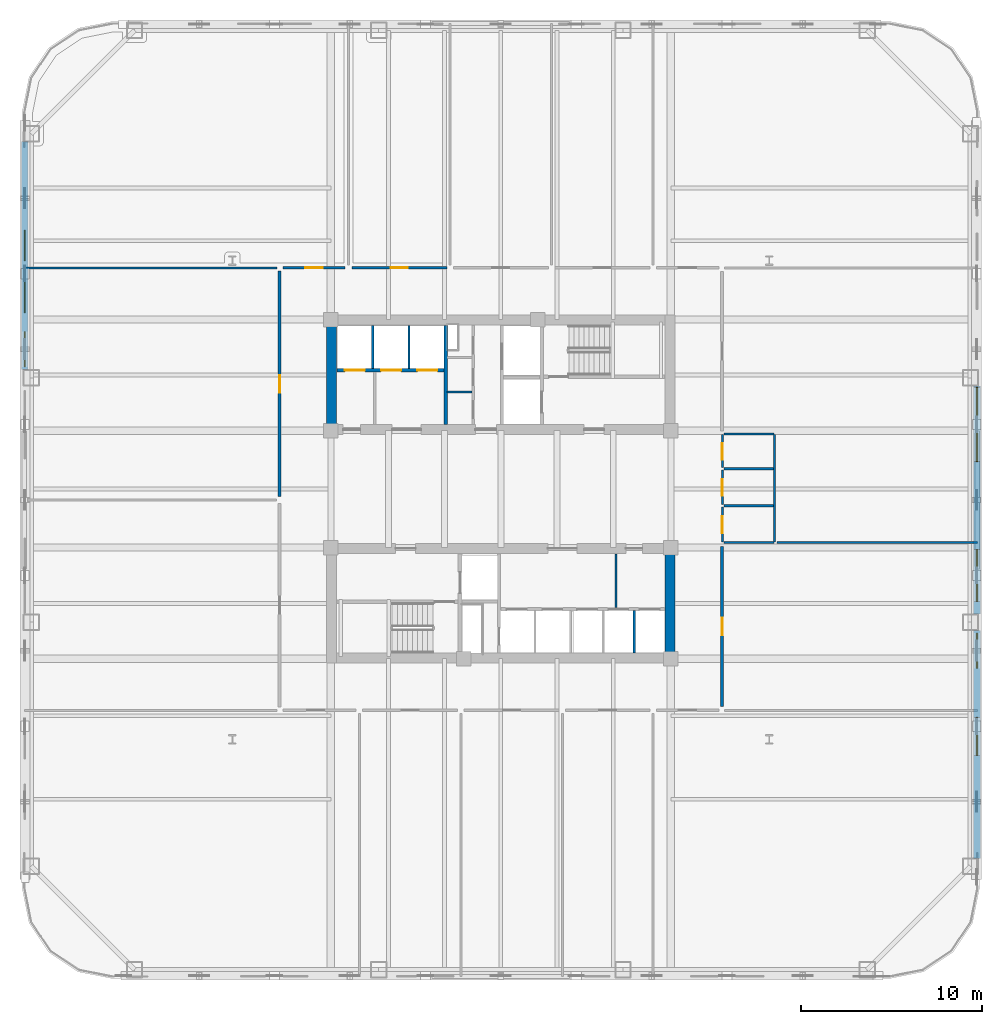
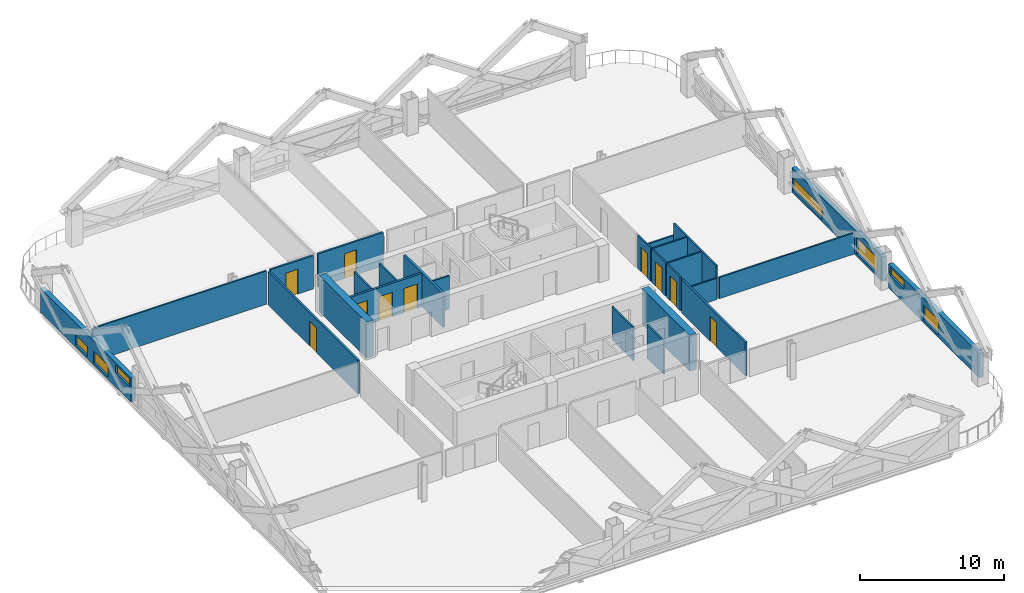
# One storey, part 6 of 14: 26 walls, 10 doors, 7 windows, 17 openings.
"""IFC4 building model written with IfcOpenShell, lengths in metres."""

from ifc_helpers import new_model, si_unit, direction, frame, frame_2d, origin, place, context, subcontext, project, spatial, rectangle, extrude, material, layer, layer_set, type_object, element, fill, save


model = new_model("IFC4")

# Units and contexts
model_context = context("Model", 3, precision=1e-05, world=origin(), true_north=direction((0.0, 1.0)))
body_context = subcontext(model_context, "Body", "Model", "MODEL_VIEW")
ifc_project = project(units=[si_unit("LENGTHUNIT", "METRE"), si_unit("AREAUNIT", "SQUARE_METRE"), si_unit("VOLUMEUNIT", "CUBIC_METRE"), si_unit("PLANEANGLEUNIT", "RADIAN"), si_unit("MASSUNIT", "GRAM", prefix="KILO")], contexts=[model_context])

# Site, building, storey
site_placement = place(None, origin())
site = spatial("IfcSite", under=ifc_project, at=site_placement, CompositionType="ELEMENT")
building_placement = place(site_placement, origin())
building = spatial("IfcBuilding", under=site, at=building_placement, Name="Qhalaya Broadcast Tower", CompositionType="ELEMENT")
storey_placement = place(building_placement, frame((0.0, 0.0, 38.300048828125)))
storey = spatial("IfcBuildingStorey", under=building, at=storey_placement, Name="L10", CompositionType="ELEMENT", Elevation=38.300048828125)

# Wall, opening, door
ifc_material_1 = material(Name="Gypsum Acoustic Partition")
ifc_layer_1 = layer(ifc_material_1, 0.14990234375, Name="Gypsum Acoustic Partition")
ifc_layer_set_1 = layer_set([ifc_layer_1], Name="Gypsum Acoustic Partition")
wall_type_1 = type_object("IfcWallType", Name="Corridor & Tenancy Acoustic Partition 150", PredefinedType="PARTITIONING", material=ifc_layer_set_1)
wall_1_placement = place(storey_placement, frame((-12.02001953125, 12.800048828125, 0.0), z_axis=(0.0, 0.0, 1.0), x_axis=(1.0, 0.0, 0.0)))
wall_1 = element("IfcWall", 1, at=wall_1_placement, inside=storey, type_object=wall_type_1, Name="L10 Partition Wall W-COR-01", PredefinedType="PARTITIONING", context=body_context, shape_type="SweptSolid", body=[
    extrude(rectangle(XDim=3.43994140625, YDim=0.14990234375, at=frame_2d((1.719970703125, 0.0))), origin(), (0.0, 0.0, 1.0), 2.829833984375),
])
opening_1_placement = place(wall_1_placement, frame((1.2451171875, 0.0, 0.0)))
opening_1 = element("IfcOpeningElement", 2, at=opening_1_placement, cuts=wall_1, Name="Opening D10", PredefinedType="OPENING", context=body_context, shape_type="SweptSolid", body=[
    extrude(rectangle(XDim=0.949951171875, YDim=2.10009765625, at=frame_2d((0.47509765625, 1.050048828125))), frame((0.0, 0.0869140625, 0.0), z_axis=(0.0, -1.0, 0.0), x_axis=(1.0, 0.0, 0.0)), (0.0, 0.0, 1.0), 0.173828125),
])
ifc_material_2 = material(Name="Timber Veneer Acoustic Door", Category="wood")
door_type_1 = type_object("IfcDoorType", Name="Cellular Office & Edit Booth Door D10", OperationType="NOTDEFINED", PredefinedType="DOOR", material=ifc_material_2)
door_1_placement = place(opening_1_placement, origin())
door_1 = element("IfcDoor", 3, at=door_1_placement, inside=storey, type_object=door_type_1, Name="L10 Door D-RM01", OperationType="SINGLE_SWING_RIGHT", OverallHeight=2.10009765625, OverallWidth=0.949951171875, PredefinedType="DOOR", context=body_context, shape_type="SweptSolid", body=[
    extrude(rectangle(XDim=0.949951171875, YDim=2.10009765625, at=frame_2d((0.47509765625, 1.050048828125))), frame((0.0, 0.02490234375, 0.0), z_axis=(0.0, -1.0, 0.0), x_axis=(1.0, 0.0, 0.0)), (0.0, 0.0, 1.0), 0.050048828125),
])
fill(opening_1, door_1)

wall_2_placement = place(storey_placement, frame((-8.219970703125, 12.800048828125, 0.0), z_axis=(0.0, 0.0, 1.0), x_axis=(1.0, 0.0, 0.0)))
wall_2 = element("IfcWall", 4, at=wall_2_placement, inside=storey, type_object=wall_type_1, Name="L10 Partition Wall W-COR-02", PredefinedType="PARTITIONING", context=body_context, shape_type="SweptSolid", body=[
    extrude(rectangle(XDim=5.239990234375, YDim=0.14990234375, at=frame_2d((2.6201171875, 0.0))), origin(), (0.0, 0.0, 1.0), 2.829833984375),
])
opening_2_placement = place(wall_2_placement, frame((2.14501953125, 0.0, 0.0)))
opening_2 = element("IfcOpeningElement", 5, at=opening_2_placement, cuts=wall_2, Name="Opening D10", PredefinedType="OPENING", context=body_context, shape_type="SweptSolid", body=[
    extrude(rectangle(XDim=0.949951171875, YDim=2.10009765625, at=frame_2d((0.47509765625, 1.050048828125))), frame((0.0, 0.0869140625, 0.0), z_axis=(0.0, -1.0, 0.0), x_axis=(1.0, 0.0, 0.0)), (0.0, 0.0, 1.0), 0.173828125),
])
door_2_placement = place(opening_2_placement, origin())
door_2 = element("IfcDoor", 6, at=door_2_placement, inside=storey, type_object=door_type_1, Name="L10 Door D-RM02", OperationType="SINGLE_SWING_LEFT", OverallHeight=2.10009765625, OverallWidth=0.949951171875, PredefinedType="DOOR", context=body_context, shape_type="SweptSolid", body=[
    extrude(rectangle(XDim=0.949951171875, YDim=2.10009765625, at=frame_2d((0.47509765625, 1.050048828125))), frame((0.0, 0.02490234375, 0.0), z_axis=(0.0, -1.0, 0.0), x_axis=(1.0, 0.0, 0.0)), (0.0, 0.0, 1.0), 0.050048828125),
])
fill(opening_2, door_2)

wall_3_placement = place(storey_placement, frame((-12.199951171875, 0.179931640625, 0.0), z_axis=(0.0, 0.0, 1.0), x_axis=(0.0, 1.0, 0.0)))
wall_3 = element("IfcWall", 7, at=wall_3_placement, inside=storey, type_object=wall_type_1, Name="L10 Partition Wall W-COR-12", PredefinedType="PARTITIONING", context=body_context, shape_type="SweptSolid", body=[
    extrude(rectangle(XDim=12.440185546875, YDim=0.14990234375, at=frame_2d((6.22021484375, 0.0))), origin(), (0.0, 0.0, 1.0), 2.829833984375),
])
opening_3_placement = place(wall_3_placement, frame((5.7451171875, 0.0, 0.0)))
opening_3 = element("IfcOpeningElement", 8, at=opening_3_placement, cuts=wall_3, Name="Opening D10", PredefinedType="OPENING", context=body_context, shape_type="SweptSolid", body=[
    extrude(rectangle(XDim=0.949951171875, YDim=2.10009765625, at=frame_2d((0.47509765625, 1.050048828125))), frame((0.0, 0.0869140625, 0.0), z_axis=(0.0, -1.0, 0.0), x_axis=(1.0, 0.0, 0.0)), (0.0, 0.0, 1.0), 0.173828125),
])
door_3_placement = place(opening_3_placement, origin())
door_3 = element("IfcDoor", 9, at=door_3_placement, inside=storey, type_object=door_type_1, Name="L10 Door D-RM12", OperationType="SINGLE_SWING_LEFT", OverallHeight=2.10009765625, OverallWidth=0.949951171875, PredefinedType="DOOR", context=body_context, shape_type="SweptSolid", body=[
    extrude(rectangle(XDim=0.949951171875, YDim=2.10009765625, at=frame_2d((0.47509765625, 1.050048828125))), frame((0.0, 0.02490234375, 0.0), z_axis=(0.0, -1.0, 0.0), x_axis=(1.0, 0.0, 0.0)), (0.0, 0.0, 1.0), 0.050048828125),
])
fill(opening_3, door_3)

wall_4_placement = place(storey_placement, frame((12.199951171875, -11.39990234375, 0.0), z_axis=(0.0, 0.0, 1.0), x_axis=(0.0, 1.0, 0.0)))
wall_4 = element("IfcWall", 10, at=wall_4_placement, inside=storey, type_object=wall_type_1, Name="L10 Partition Wall W-COR-13", PredefinedType="PARTITIONING", context=body_context, shape_type="SweptSolid", body=[
    extrude(rectangle(XDim=8.83984375, YDim=0.14990234375, at=frame_2d((4.419921875, 0.0))), origin(), (0.0, 0.0, 1.0), 2.829833984375),
])
opening_4_placement = place(wall_4_placement, frame((3.945068359375, 0.0, 0.0)))
opening_4 = element("IfcOpeningElement", 11, at=opening_4_placement, cuts=wall_4, Name="Opening D10", PredefinedType="OPENING", context=body_context, shape_type="SweptSolid", body=[
    extrude(rectangle(XDim=0.949951171875, YDim=2.10009765625, at=frame_2d((0.47509765625, 1.050048828125))), frame((0.0, 0.0869140625, 0.0), z_axis=(0.0, -1.0, 0.0), x_axis=(1.0, 0.0, 0.0)), (0.0, 0.0, 1.0), 0.173828125),
])
door_4_placement = place(opening_4_placement, origin())
door_4 = element("IfcDoor", 12, at=door_4_placement, inside=storey, type_object=door_type_1, Name="L10 Door D-RM13", OperationType="SINGLE_SWING_RIGHT", OverallHeight=2.10009765625, OverallWidth=0.949951171875, PredefinedType="DOOR", context=body_context, shape_type="SweptSolid", body=[
    extrude(rectangle(XDim=0.949951171875, YDim=2.10009765625, at=frame_2d((0.47509765625, 1.050048828125))), frame((0.0, 0.02490234375, 0.0), z_axis=(0.0, -1.0, 0.0), x_axis=(1.0, 0.0, 0.0)), (0.0, 0.0, 1.0), 0.050048828125),
])
fill(opening_4, door_4)

# Wall, openings, windows
ifc_material_3 = material(Name="Precast Concrete C40/50", Category="concrete")
ifc_layer_2 = layer(ifc_material_3, 0.360107421875, Name="Precast Concrete C40/50")
ifc_layer_set_2 = layer_set([ifc_layer_2], Name="Precast Concrete C40/50")
wall_type_2 = type_object("IfcWallType", Name="Insulated Precast Terracotta Exterior Wall 360", PredefinedType="SOLIDWALL", material=ifc_layer_set_2)
wall_5_placement = place(storey_placement, frame((26.260009765625, 6.283203125, 0.0), z_axis=(0.0, 0.0, 1.0), x_axis=(0.0, -1.0, 0.0)))
wall_5 = element("IfcWall", 13, at=wall_5_placement, inside=storey, type_object=wall_type_2, Name="L10 Exoskeleton Diagrid Infill Wall E2", PredefinedType="SOLIDWALL", context=body_context, shape_type="SweptSolid", body=[
    extrude(rectangle(XDim=12.56640625, YDim=0.360107421875, at=frame_2d((6.283203125, 0.0))), origin(), (0.0, 0.0, 1.0), 2.06689453125),
])
opening_5_placement = place(wall_5_placement, frame((0.071044921875, 0.0, 0.199951171875)))
opening_5 = element("IfcOpeningElement", 14, at=opening_5_placement, cuts=wall_5, Name="Opening W11", PredefinedType="OPENING", context=body_context, shape_type="SweptSolid", body=[
    extrude(rectangle(XDim=4.10009765625, YDim=1.050048828125, at=frame_2d((2.050048828125, 0.52490234375))), frame((0.0, 0.192138671875, 0.0), z_axis=(0.0, -1.0, 0.0), x_axis=(1.0, 0.0, 0.0)), (0.0, 0.0, 1.0), 0.384033203125),
])
opening_6_placement = place(wall_5_placement, frame((9.02099609375, 0.0, 0.199951171875)))
opening_6 = element("IfcOpeningElement", 15, at=opening_6_placement, cuts=wall_5, Name="Opening W11", PredefinedType="OPENING", context=body_context, shape_type="SweptSolid", body=[
    extrude(rectangle(XDim=2.85009765625, YDim=1.39990234375, at=frame_2d((1.425048828125, 0.699951171875))), frame((0.0, 0.192138671875, 0.0), z_axis=(0.0, -1.0, 0.0), x_axis=(1.0, 0.0, 0.0)), (0.0, 0.0, 1.0), 0.384033203125),
])
ifc_material_4 = material(Name="Solar-Control Low-E Triple Glazing", Category="glass")
window_type = type_object("IfcWindowType", Name="Odd-Block Diagrid Infill Window W11", PartitioningType="SINGLE_PANEL", PredefinedType="WINDOW", material=ifc_material_4)
window_1_placement = place(opening_5_placement, origin())
window_1 = element("IfcWindow", 16, at=window_1_placement, inside=storey, type_object=window_type, Name="L10 Diagrid Infill Window W11-E4", OverallHeight=1.050048828125, OverallWidth=4.10009765625, PartitioningType="SINGLE_PANEL", PredefinedType="WINDOW", context=body_context, shape_type="SweptSolid", body=[
    extrude(rectangle(XDim=4.10009765625, YDim=1.050048828125, at=frame_2d((2.050048828125, 0.52490234375))), frame((0.0, 0.030029296875, 0.0), z_axis=(0.0, -1.0, 0.0), x_axis=(1.0, 0.0, 0.0)), (0.0, 0.0, 1.0), 0.06005859375),
])
fill(opening_5, window_1)
window_2_placement = place(opening_6_placement, origin())
window_2 = element("IfcWindow", 17, at=window_2_placement, inside=storey, type_object=window_type, Name="L10 Diagrid Infill Window W11-E5", OverallHeight=1.39990234375, OverallWidth=2.85009765625, PartitioningType="SINGLE_PANEL", PredefinedType="WINDOW", context=body_context, shape_type="SweptSolid", body=[
    extrude(rectangle(XDim=2.85009765625, YDim=1.39990234375, at=frame_2d((1.425048828125, 0.699951171875))), frame((0.0, 0.030029296875, 0.0), z_axis=(0.0, -1.0, 0.0), x_axis=(1.0, 0.0, 0.0)), (0.0, 0.0, 1.0), 0.06005859375),
])
fill(opening_6, window_2)

wall_6_placement = place(storey_placement, frame((26.260009765625, -7.183349609375, 0.0), z_axis=(0.0, 0.0, 1.0), x_axis=(0.0, -1.0, 0.0)))
wall_6 = element("IfcWall", 18, at=wall_6_placement, inside=storey, type_object=wall_type_2, Name="L10 Exoskeleton Diagrid Infill Wall E3", PredefinedType="SOLIDWALL", context=body_context, shape_type="SweptSolid", body=[
    extrude(rectangle(XDim=12.57861328125, YDim=0.360107421875, at=frame_2d((6.289306640625, 0.0))), origin(), (0.0, 0.0, 1.0), 2.06689453125),
])
opening_7_placement = place(wall_6_placement, frame((0.155029296875, 0.0, 1.199951171875)))
opening_7 = element("IfcOpeningElement", 19, at=opening_7_placement, cuts=wall_6, Name="Opening W11", PredefinedType="OPENING", context=body_context, shape_type="SweptSolid", body=[
    extrude(rectangle(XDim=1.949951171875, YDim=0.699951171875, at=frame_2d((0.97509765625, 0.35009765625))), frame((0.0, 0.192138671875, 0.0), z_axis=(0.0, -1.0, 0.0), x_axis=(1.0, 0.0, 0.0)), (0.0, 0.0, 1.0), 0.384033203125),
])
opening_8_placement = place(wall_6_placement, frame((4.804931640625, 0.0, 0.199951171875)))
opening_8 = element("IfcOpeningElement", 20, at=opening_8_placement, cuts=wall_6, Name="Opening W11", PredefinedType="OPENING", context=body_context, shape_type="SweptSolid", body=[
    extrude(rectangle(XDim=2.10009765625, YDim=1.300048828125, at=frame_2d((1.050048828125, 0.64990234375))), frame((0.0, 0.192138671875, 0.0), z_axis=(0.0, -1.0, 0.0), x_axis=(1.0, 0.0, 0.0)), (0.0, 0.0, 1.0), 0.384033203125),
])
window_3_placement = place(opening_7_placement, origin())
window_3 = element("IfcWindow", 21, at=window_3_placement, inside=storey, type_object=window_type, Name="L10 Diagrid Infill Window W11-E6", OverallHeight=0.699951171875, OverallWidth=1.949951171875, PartitioningType="SINGLE_PANEL", PredefinedType="WINDOW", context=body_context, shape_type="SweptSolid", body=[
    extrude(rectangle(XDim=1.949951171875, YDim=0.699951171875, at=frame_2d((0.97509765625, 0.35009765625))), frame((0.0, 0.030029296875, 0.0), z_axis=(0.0, -1.0, 0.0), x_axis=(1.0, 0.0, 0.0)), (0.0, 0.0, 1.0), 0.06005859375),
])
fill(opening_7, window_3)
window_4_placement = place(opening_8_placement, origin())
window_4 = element("IfcWindow", 22, at=window_4_placement, inside=storey, type_object=window_type, Name="L10 Diagrid Infill Window W11-E7", OverallHeight=1.300048828125, OverallWidth=2.10009765625, PartitioningType="SINGLE_PANEL", PredefinedType="WINDOW", context=body_context, shape_type="SweptSolid", body=[
    extrude(rectangle(XDim=2.10009765625, YDim=1.300048828125, at=frame_2d((1.050048828125, 0.64990234375))), frame((0.0, 0.030029296875, 0.0), z_axis=(0.0, -1.0, 0.0), x_axis=(1.0, 0.0, 0.0)), (0.0, 0.0, 1.0), 0.06005859375),
])
fill(opening_8, window_4)

wall_7_placement = place(storey_placement, frame((-26.260009765625, 7.183349609375, 0.0), z_axis=(0.0, 0.0, 1.0), x_axis=(0.0, 1.0, 0.0)))
wall_7 = element("IfcWall", 23, at=wall_7_placement, inside=storey, type_object=wall_type_2, Name="L10 Exoskeleton Diagrid Infill Wall W3", PredefinedType="SOLIDWALL", context=body_context, shape_type="SweptSolid", body=[
    extrude(rectangle(XDim=12.57861328125, YDim=0.360107421875, at=frame_2d((6.289306640625, 0.0))), origin(), (0.0, 0.0, 1.0), 2.06689453125),
])
opening_9_placement = place(wall_7_placement, frame((0.155029296875, 0.0, 1.199951171875)))
opening_9 = element("IfcOpeningElement", 24, at=opening_9_placement, cuts=wall_7, Name="Opening W11", PredefinedType="OPENING", context=body_context, shape_type="SweptSolid", body=[
    extrude(rectangle(XDim=1.949951171875, YDim=0.699951171875, at=frame_2d((0.97509765625, 0.35009765625))), frame((0.0, 0.192138671875, 0.0), z_axis=(0.0, -1.0, 0.0), x_axis=(1.0, 0.0, 0.0)), (0.0, 0.0, 1.0), 0.384033203125),
])
opening_10_placement = place(wall_7_placement, frame((3.155029296875, 0.0, 0.199951171875)))
opening_10 = element("IfcOpeningElement", 25, at=opening_10_placement, cuts=wall_7, Name="Opening W11", PredefinedType="OPENING", context=body_context, shape_type="SweptSolid", body=[
    extrude(rectangle(XDim=2.050048828125, YDim=1.0, at=frame_2d((1.02490234375, 0.5))), frame((0.0, 0.192138671875, 0.0), z_axis=(0.0, -1.0, 0.0), x_axis=(1.0, 0.0, 0.0)), (0.0, 0.0, 1.0), 0.384033203125),
])
opening_11_placement = place(wall_7_placement, frame((6.0048828125, 0.0, 0.199951171875)))
opening_11 = element("IfcOpeningElement", 26, at=opening_11_placement, cuts=wall_7, Name="Opening W11", PredefinedType="OPENING", context=body_context, shape_type="SweptSolid", body=[
    extrude(rectangle(XDim=1.699951171875, YDim=0.85009765625, at=frame_2d((0.85009765625, 0.425048828125))), frame((0.0, 0.192138671875, 0.0), z_axis=(0.0, -1.0, 0.0), x_axis=(1.0, 0.0, 0.0)), (0.0, 0.0, 1.0), 0.384033203125),
])
window_5_placement = place(opening_9_placement, origin())
window_5 = element("IfcWindow", 27, at=window_5_placement, inside=storey, type_object=window_type, Name="L10 Diagrid Infill Window W11-W5", OverallHeight=0.699951171875, OverallWidth=1.949951171875, PartitioningType="SINGLE_PANEL", PredefinedType="WINDOW", context=body_context, shape_type="SweptSolid", body=[
    extrude(rectangle(XDim=1.949951171875, YDim=0.699951171875, at=frame_2d((0.97509765625, 0.35009765625))), frame((0.0, 0.030029296875, 0.0), z_axis=(0.0, -1.0, 0.0), x_axis=(1.0, 0.0, 0.0)), (0.0, 0.0, 1.0), 0.06005859375),
])
fill(opening_9, window_5)
window_6_placement = place(opening_10_placement, origin())
window_6 = element("IfcWindow", 28, at=window_6_placement, inside=storey, type_object=window_type, Name="L10 Diagrid Infill Window W11-W6", OverallHeight=1.0, OverallWidth=2.050048828125, PartitioningType="SINGLE_PANEL", PredefinedType="WINDOW", context=body_context, shape_type="SweptSolid", body=[
    extrude(rectangle(XDim=2.050048828125, YDim=1.0, at=frame_2d((1.02490234375, 0.5))), frame((0.0, 0.030029296875, 0.0), z_axis=(0.0, -1.0, 0.0), x_axis=(1.0, 0.0, 0.0)), (0.0, 0.0, 1.0), 0.06005859375),
])
fill(opening_10, window_6)
window_7_placement = place(opening_11_placement, origin())
window_7 = element("IfcWindow", 29, at=window_7_placement, inside=storey, type_object=window_type, Name="L10 Diagrid Infill Window W11-W7", OverallHeight=0.85009765625, OverallWidth=1.699951171875, PartitioningType="SINGLE_PANEL", PredefinedType="WINDOW", context=body_context, shape_type="SweptSolid", body=[
    extrude(rectangle(XDim=1.699951171875, YDim=0.85009765625, at=frame_2d((0.85009765625, 0.425048828125))), frame((0.0, 0.030029296875, 0.0), z_axis=(0.0, -1.0, 0.0), x_axis=(1.0, 0.0, 0.0)), (0.0, 0.0, 1.0), 0.06005859375),
])
fill(opening_11, window_7)

# Walls
ifc_material_5 = material(Name="Concrete C60/75", Category="concrete")
ifc_layer_3 = layer(ifc_material_5, 0.550048828125, Name="Concrete C60/75")
ifc_layer_set_3 = layer_set([ifc_layer_3], Name="Concrete C60/75")
wall_type_3 = type_object("IfcWallType", Name="Lower Split-Core Shear Wall 550", PredefinedType="SHEAR", material=ifc_layer_set_3)
wall_8_placement = place(storey_placement, frame((-9.324951171875, 3.60009765625, 0.0), z_axis=(0.0, 0.0, 1.0), x_axis=(0.0, 1.0, 0.0)))
element("IfcWall", 30, at=wall_8_placement, inside=storey, type_object=wall_type_3, Name="L10 Split-Core Shear Wall CW-NW", PredefinedType="SHEAR", context=body_context, shape_type="SweptSolid", body=[
    extrude(rectangle(XDim=6.599853515625, YDim=0.550048828125, at=frame_2d((3.2998046875, 0.0))), origin(), (0.0, 0.0, 1.0), 3.050048828125),
])
wall_9_placement = place(storey_placement, frame((9.324951171875, -9.0, 0.0), z_axis=(0.0, 0.0, 1.0), x_axis=(0.0, 1.0, 0.0)))
element("IfcWall", 31, at=wall_9_placement, inside=storey, type_object=wall_type_3, Name="L10 Split-Core Shear Wall CW-SE", PredefinedType="SHEAR", context=body_context, shape_type="SweptSolid", body=[
    extrude(rectangle(XDim=6.60009765625, YDim=0.550048828125, at=frame_2d((3.300048828125, 0.0))), origin(), (0.0, 0.0, 1.0), 3.050048828125),
])
ifc_layer_4 = layer(ifc_material_1, 0.1201171875, Name="Gypsum Acoustic Partition")
ifc_layer_set_4 = layer_set([ifc_layer_4], Name="Gypsum Acoustic Partition")
wall_type_4 = type_object("IfcWallType", Name="Office, Booth & Sanitary Partition 120", PredefinedType="PARTITIONING", material=ifc_layer_set_4)
wall_10_placement = place(storey_placement, frame((-2.9599609375, 5.949951171875, 0.0), z_axis=(0.0, 0.0, 1.0), x_axis=(1.0, 0.0, 0.0)))
element("IfcWall", 32, at=wall_10_placement, inside=storey, type_object=wall_type_4, Name="L10 Partition Wall NCW-VB1", PredefinedType="PARTITIONING", context=body_context, shape_type="SweptSolid", body=[
    extrude(rectangle(XDim=1.35986328125, YDim=0.1201171875, at=frame_2d((0.679931640625, 0.0))), origin(), (0.0, 0.0, 1.0), 2.829833984375),
])
for number, where, z_axis, x_axis, name in (
    (33, (-7.06005859375, 7.25, 0.0), (0.0, 0.0, 1.0), (0.0, 1.0, 0.0), "L10 Partition Wall NCW-PD1"),
    (34, (-5.06005859375, 7.25, 0.0), (0.0, 0.0, 1.0), (0.0, 1.0, 0.0), "L10 Partition Wall NCW-PD2"),
):
    element("IfcWall", number, at=place(storey_placement, frame(where, z_axis=z_axis, x_axis=x_axis)), inside=storey, type_object=wall_type_4, Name=name, PredefinedType="PARTITIONING", context=body_context, shape_type="SweptSolid", body=[
        extrude(rectangle(XDim=2.3798828125, YDim=0.1201171875, at=frame_2d((1.18994140625, 0.0))), origin(), (0.0, 0.0, 1.0), 2.829833984375),
    ])
wall_11_placement = place(storey_placement, frame((7.360107421875, -8.429931640625, 0.0), z_axis=(0.0, 0.0, 1.0), x_axis=(0.0, 1.0, 0.0)))
element("IfcWall", 35, at=wall_11_placement, inside=storey, type_object=wall_type_4, Name="L10 Partition Wall SCW-HD7", PredefinedType="PARTITIONING", context=body_context, shape_type="SweptSolid", body=[
    extrude(rectangle(XDim=2.329833984375, YDim=0.1201171875, at=frame_2d((1.1650390625, 0.0))), origin(), (0.0, 0.0, 1.0), 2.829833984375),
])
wall_12_placement = place(storey_placement, frame((6.35009765625, -5.93994140625, 0.0), z_axis=(0.0, 0.0, 1.0), x_axis=(0.0, 1.0, 0.0)))
element("IfcWall", 36, at=wall_12_placement, inside=storey, type_object=wall_type_4, Name="L10 Partition Wall SCW-LKB", PredefinedType="PARTITIONING", context=body_context, shape_type="SweptSolid", body=[
    extrude(rectangle(XDim=2.969970703125, YDim=0.1201171875, at=frame_2d((1.48486328125, 0.0))), origin(), (0.0, 0.0, 1.0), 2.829833984375),
])

# Wall, opening, door
wall_13_placement = place(storey_placement, frame((12.219970703125, -2.320068359375, 0.0), z_axis=(0.0, 0.0, 1.0), x_axis=(0.0, 1.0, 0.0)))
wall_13 = element("IfcWall", 37, at=wall_13_placement, inside=storey, type_object=wall_type_4, Name="L10 Partition Wall W-WCWA", PredefinedType="PARTITIONING", context=body_context, shape_type="SweptSolid", body=[
    extrude(rectangle(XDim=1.940185546875, YDim=0.1201171875, at=frame_2d((0.97021484375, 0.0))), origin(), (0.0, 0.0, 1.0), 2.829833984375),
])
opening_12_placement = place(wall_13_placement, frame((0.4951171875, 0.0, 0.0)))
opening_12 = element("IfcOpeningElement", 38, at=opening_12_placement, cuts=wall_13, Name="Opening D12", PredefinedType="OPENING", context=body_context, shape_type="SweptSolid", body=[
    extrude(rectangle(XDim=0.919921875, YDim=2.10009765625, at=frame_2d((0.4599609375, 1.050048828125))), frame((0.0, 0.072021484375, 0.0), z_axis=(0.0, -1.0, 0.0), x_axis=(1.0, 0.0, 0.0)), (0.0, 0.0, 1.0), 0.14404296875),
])
door_type_2 = type_object("IfcDoorType", Name="Accessible WC & Restroom Door D12", OperationType="NOTDEFINED", PredefinedType="DOOR", material=ifc_material_2)
door_5_placement = place(opening_12_placement, origin())
door_5 = element("IfcDoor", 39, at=door_5_placement, inside=storey, type_object=door_type_2, Name="L10 Door D-WCA", OperationType="SINGLE_SWING_LEFT", OverallHeight=2.10009765625, OverallWidth=0.919921875, PredefinedType="DOOR", context=body_context, shape_type="SweptSolid", body=[
    extrude(rectangle(XDim=0.919921875, YDim=2.10009765625, at=frame_2d((0.4599609375, 1.050048828125))), frame((0.0, 0.02490234375, 0.0), z_axis=(0.0, -1.0, 0.0), x_axis=(1.0, 0.0, 0.0)), (0.0, 0.0, 1.0), 0.050048828125),
])
fill(opening_12, door_5)

wall_14_placement = place(storey_placement, frame((12.219970703125, -0.25, 0.0), z_axis=(0.0, 0.0, 1.0), x_axis=(0.0, 1.0, 0.0)))
wall_14 = element("IfcWall", 40, at=wall_14_placement, inside=storey, type_object=wall_type_4, Name="L10 Partition Wall W-WCWM", PredefinedType="PARTITIONING", context=body_context, shape_type="SweptSolid", body=[
    extrude(rectangle(XDim=1.89990234375, YDim=0.1201171875, at=frame_2d((0.949951171875, 0.0))), origin(), (0.0, 0.0, 1.0), 2.829833984375),
])
opening_13_placement = place(wall_14_placement, frame((0.47509765625, 0.0, 0.0)))
opening_13 = element("IfcOpeningElement", 41, at=opening_13_placement, cuts=wall_14, Name="Opening D12", PredefinedType="OPENING", context=body_context, shape_type="SweptSolid", body=[
    extrude(rectangle(XDim=0.919921875, YDim=2.10009765625, at=frame_2d((0.4599609375, 1.050048828125))), frame((0.0, 0.072021484375, 0.0), z_axis=(0.0, -1.0, 0.0), x_axis=(1.0, 0.0, 0.0)), (0.0, 0.0, 1.0), 0.14404296875),
])
door_6_placement = place(opening_13_placement, origin())
door_6 = element("IfcDoor", 42, at=door_6_placement, inside=storey, type_object=door_type_2, Name="L10 Door D-WCM", OperationType="SINGLE_SWING_RIGHT", OverallHeight=2.10009765625, OverallWidth=0.919921875, PredefinedType="DOOR", context=body_context, shape_type="SweptSolid", body=[
    extrude(rectangle(XDim=0.919921875, YDim=2.10009765625, at=frame_2d((0.4599609375, 1.050048828125))), frame((0.0, 0.02490234375, 0.0), z_axis=(0.0, -1.0, 0.0), x_axis=(1.0, 0.0, 0.0)), (0.0, 0.0, 1.0), 0.050048828125),
])
fill(opening_13, door_6)

wall_15_placement = place(storey_placement, frame((12.219970703125, 1.780029296875, 0.0), z_axis=(0.0, 0.0, 1.0), x_axis=(0.0, 1.0, 0.0)))
wall_15 = element("IfcWall", 43, at=wall_15_placement, inside=storey, type_object=wall_type_4, Name="L10 Partition Wall W-WCWF", PredefinedType="PARTITIONING", context=body_context, shape_type="SweptSolid", body=[
    extrude(rectangle(XDim=1.830078125, YDim=0.1201171875, at=frame_2d((0.9150390625, 0.0))), origin(), (0.0, 0.0, 1.0), 2.829833984375),
])
opening_14_placement = place(wall_15_placement, frame((0.43994140625, 0.0, 0.0)))
opening_14 = element("IfcOpeningElement", 44, at=opening_14_placement, cuts=wall_15, Name="Opening D12", PredefinedType="OPENING", context=body_context, shape_type="SweptSolid", body=[
    extrude(rectangle(XDim=0.919921875, YDim=2.10009765625, at=frame_2d((0.4599609375, 1.050048828125))), frame((0.0, 0.072021484375, 0.0), z_axis=(0.0, -1.0, 0.0), x_axis=(1.0, 0.0, 0.0)), (0.0, 0.0, 1.0), 0.14404296875),
])
door_7_placement = place(opening_14_placement, origin())
door_7 = element("IfcDoor", 45, at=door_7_placement, inside=storey, type_object=door_type_2, Name="L10 Door D-WCF", OperationType="SINGLE_SWING_LEFT", OverallHeight=2.10009765625, OverallWidth=0.919921875, PredefinedType="DOOR", context=body_context, shape_type="SweptSolid", body=[
    extrude(rectangle(XDim=0.919921875, YDim=2.10009765625, at=frame_2d((0.4599609375, 1.050048828125))), frame((0.0, 0.02490234375, 0.0), z_axis=(0.0, -1.0, 0.0), x_axis=(1.0, 0.0, 0.0)), (0.0, 0.0, 1.0), 0.050048828125),
])
fill(opening_14, door_7)

# Walls
wall_16_placement = place(storey_placement, frame((15.10009765625, -2.320068359375, 0.0), z_axis=(0.0, 0.0, 1.0), x_axis=(0.0, 1.0, 0.0)))
element("IfcWall", 46, at=wall_16_placement, inside=storey, type_object=wall_type_4, Name="L10 Partition Wall W-WCE", PredefinedType="PARTITIONING", context=body_context, shape_type="SweptSolid", body=[
    extrude(rectangle(XDim=5.93017578125, YDim=0.1201171875, at=frame_2d((2.965087890625, 0.0))), origin(), (0.0, 0.0, 1.0), 2.829833984375),
])
for number, where, z_axis, x_axis, name in (
    (47, (12.31005859375, -2.35009765625, 0.0), (0.0, 0.0, 1.0), (1.0, 0.0, 0.0), "L10 Partition Wall W-WCS"),
    (48, (12.31005859375, 3.639892578125, 0.0), (0.0, 0.0, 1.0), (1.0, 0.0, 0.0), "L10 Partition Wall W-WCN"),
):
    element("IfcWall", number, at=place(storey_placement, frame(where, z_axis=z_axis, x_axis=x_axis)), inside=storey, type_object=wall_type_4, Name=name, PredefinedType="PARTITIONING", context=body_context, shape_type="SweptSolid", body=[
        extrude(rectangle(XDim=2.760009765625, YDim=0.1201171875, at=frame_2d((1.3798828125, 0.0))), origin(), (0.0, 0.0, 1.0), 1.799072265625),
    ])
for number, where, z_axis, x_axis, name in (
    (49, (12.31005859375, -0.320068359375, 0.0), (0.0, 0.0, 1.0), (1.0, 0.0, 0.0), "L10 Partition Wall W-WCD1"),
    (50, (12.31005859375, 1.719970703125, 0.0), (0.0, 0.0, 1.0), (1.0, 0.0, 0.0), "L10 Partition Wall W-WCD2"),
):
    element("IfcWall", number, at=place(storey_placement, frame(where, z_axis=z_axis, x_axis=x_axis)), inside=storey, type_object=wall_type_4, Name=name, PredefinedType="PARTITIONING", context=body_context, shape_type="SweptSolid", body=[
        extrude(rectangle(XDim=2.719970703125, YDim=0.1201171875, at=frame_2d((1.35986328125, 0.0))), origin(), (0.0, 0.0, 1.0), 2.829833984375),
    ])
wall_17_placement = place(storey_placement, frame((-26.280029296875, 12.800048828125, 0.0), z_axis=(0.0, 0.0, 1.0), x_axis=(1.0, 0.0, 0.0)))
element("IfcWall", 51, at=wall_17_placement, inside=storey, type_object=wall_type_4, Name="L10 Partition Wall W-BNDW1", PredefinedType="PARTITIONING", context=body_context, shape_type="SweptSolid", body=[
    extrude(rectangle(XDim=13.93994140625, YDim=0.1201171875, at=frame_2d((6.969970703125, 0.0))), origin(), (0.0, 0.0, 1.0), 2.829833984375),
])
wall_18_placement = place(storey_placement, frame((15.239990234375, -2.35009765625, 0.0), z_axis=(0.0, 0.0, 1.0), x_axis=(1.0, 0.0, 0.0)))
element("IfcWall", 52, at=wall_18_placement, inside=storey, type_object=wall_type_4, Name="L10 Partition Wall W-DIVE-WC", PredefinedType="PARTITIONING", context=body_context, shape_type="SweptSolid", body=[
    extrude(rectangle(XDim=11.0400390625, YDim=0.1201171875, at=frame_2d((5.52001953125, 0.0))), origin(), (0.0, 0.0, 1.0), 1.799072265625),
])
ifc_layer_5 = layer(ifc_material_1, 0.175048828125, Name="Gypsum Acoustic Partition")
ifc_layer_set_5 = layer_set([ifc_layer_5], Name="Gypsum Acoustic Partition")
wall_type_5 = type_object("IfcWallType", Name="Shaft & Riser Fire Partition 175", PredefinedType="PARTITIONING", material=ifc_layer_set_5)
wall_19_placement = place(storey_placement, frame((-3.0400390625, 4.169921875, 0.0), z_axis=(0.0, 0.0, 1.0), x_axis=(0.0, 1.0, 0.0)))
element("IfcWall", 53, at=wall_19_placement, inside=storey, type_object=wall_type_5, Name="L10 Partition Wall NCW-VRW", PredefinedType="PARTITIONING", context=body_context, shape_type="SweptSolid", body=[
    extrude(rectangle(XDim=5.4599609375, YDim=0.175048828125, at=frame_2d((2.72998046875, 0.0))), origin(), (0.0, 0.0, 1.0), 2.829833984375),
])

# Wall, openings, doors
wall_20_placement = place(storey_placement, frame((-9.030029296875, 7.159912109375, 0.0), z_axis=(0.0, 0.0, 1.0), x_axis=(1.0, 0.0, 0.0)))
wall_20 = element("IfcWall", 54, at=wall_20_placement, inside=storey, type_object=wall_type_5, Name="L10 Partition Wall NCW-PLB", PredefinedType="PARTITIONING", context=body_context, shape_type="SweptSolid", body=[
    extrude(rectangle(XDim=5.909912109375, YDim=0.175048828125, at=frame_2d((2.955078125, 0.0))), origin(), (0.0, 0.0, 1.0), 2.829833984375),
])
opening_15_placement = place(wall_20_placement, frame((0.429931640625, 0.0, 0.0)))
opening_15 = element("IfcOpeningElement", 55, at=opening_15_placement, cuts=wall_20, Name="Opening LD1", PredefinedType="OPENING", context=body_context, shape_type="SweptSolid", body=[
    extrude(rectangle(XDim=1.10009765625, YDim=2.06005859375, at=frame_2d((0.550048828125, 1.030029296875))), frame((0.0, 0.099609375, 0.0), z_axis=(0.0, -1.0, 0.0), x_axis=(1.0, 0.0, 0.0)), (0.0, 0.0, 1.0), 0.198974609375),
])
opening_16_placement = place(wall_20_placement, frame((2.429931640625, 0.0, 0.0)))
opening_16 = element("IfcOpeningElement", 56, at=opening_16_placement, cuts=wall_20, Name="Opening LD1", PredefinedType="OPENING", context=body_context, shape_type="SweptSolid", body=[
    extrude(rectangle(XDim=1.10009765625, YDim=2.06005859375, at=frame_2d((0.550048828125, 1.030029296875))), frame((0.0, 0.099609375, 0.0), z_axis=(0.0, -1.0, 0.0), x_axis=(1.0, 0.0, 0.0)), (0.0, 0.0, 1.0), 0.198974609375),
])
opening_17_placement = place(wall_20_placement, frame((4.429931640625, 0.0, 0.0)))
opening_17 = element("IfcOpeningElement", 57, at=opening_17_placement, cuts=wall_20, Name="Opening LD1", PredefinedType="OPENING", context=body_context, shape_type="SweptSolid", body=[
    extrude(rectangle(XDim=1.10009765625, YDim=2.06005859375, at=frame_2d((0.550048828125, 1.030029296875))), frame((0.0, 0.099609375, 0.0), z_axis=(0.0, -1.0, 0.0), x_axis=(1.0, 0.0, 0.0)), (0.0, 0.0, 1.0), 0.198974609375),
])
ifc_material_6 = material(Name="Brushed Stainless Steel Lift Door", Category="steel")
door_type_3 = type_object("IfcDoorType", Name="Passenger Lift Sliding Landing Door LD1", OperationType="DOUBLE_DOOR_SLIDING", PredefinedType="DOOR", material=ifc_material_6)
door_8_placement = place(opening_15_placement, origin())
door_8 = element("IfcDoor", 58, at=door_8_placement, inside=storey, type_object=door_type_3, Name="L10 Door LD-P1", OperationType="DOUBLE_DOOR_SLIDING", OverallHeight=2.06005859375, OverallWidth=1.10009765625, PredefinedType="DOOR", context=body_context, shape_type="SweptSolid", body=[
    extrude(rectangle(XDim=1.10009765625, YDim=2.06005859375, at=frame_2d((0.550048828125, 1.030029296875))), frame((0.0, 0.02490234375, 0.0), z_axis=(0.0, -1.0, 0.0), x_axis=(1.0, 0.0, 0.0)), (0.0, 0.0, 1.0), 0.050048828125),
])
fill(opening_15, door_8)
door_9_placement = place(opening_16_placement, origin())
door_9 = element("IfcDoor", 59, at=door_9_placement, inside=storey, type_object=door_type_3, Name="L10 Door LD-P2", OperationType="DOUBLE_DOOR_SLIDING", OverallHeight=2.06005859375, OverallWidth=1.10009765625, PredefinedType="DOOR", context=body_context, shape_type="SweptSolid", body=[
    extrude(rectangle(XDim=1.10009765625, YDim=2.06005859375, at=frame_2d((0.550048828125, 1.030029296875))), frame((0.0, 0.02490234375, 0.0), z_axis=(0.0, -1.0, 0.0), x_axis=(1.0, 0.0, 0.0)), (0.0, 0.0, 1.0), 0.050048828125),
])
fill(opening_16, door_9)
door_10_placement = place(opening_17_placement, origin())
door_10 = element("IfcDoor", 60, at=door_10_placement, inside=storey, type_object=door_type_3, Name="L10 Door LD-P3", OperationType="DOUBLE_DOOR_SLIDING", OverallHeight=2.06005859375, OverallWidth=1.10009765625, PredefinedType="DOOR", context=body_context, shape_type="SweptSolid", body=[
    extrude(rectangle(XDim=1.10009765625, YDim=2.06005859375, at=frame_2d((0.550048828125, 1.030029296875))), frame((0.0, 0.02490234375, 0.0), z_axis=(0.0, -1.0, 0.0), x_axis=(1.0, 0.0, 0.0)), (0.0, 0.0, 1.0), 0.050048828125),
])
fill(opening_17, door_10)

save(model, "model.ifc")
